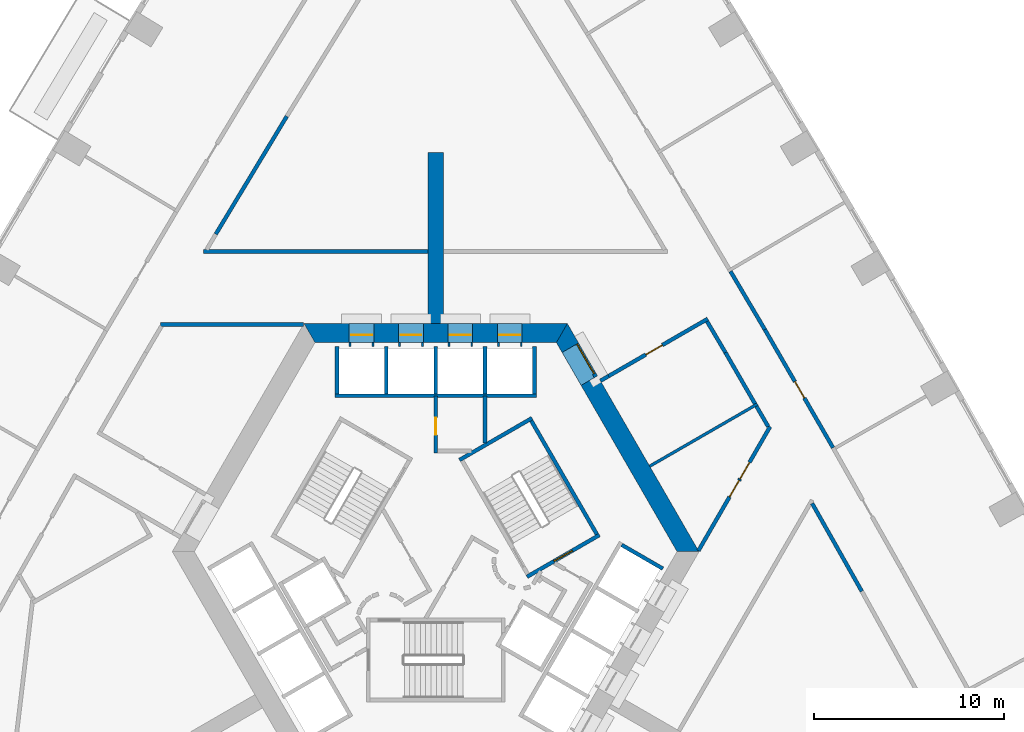
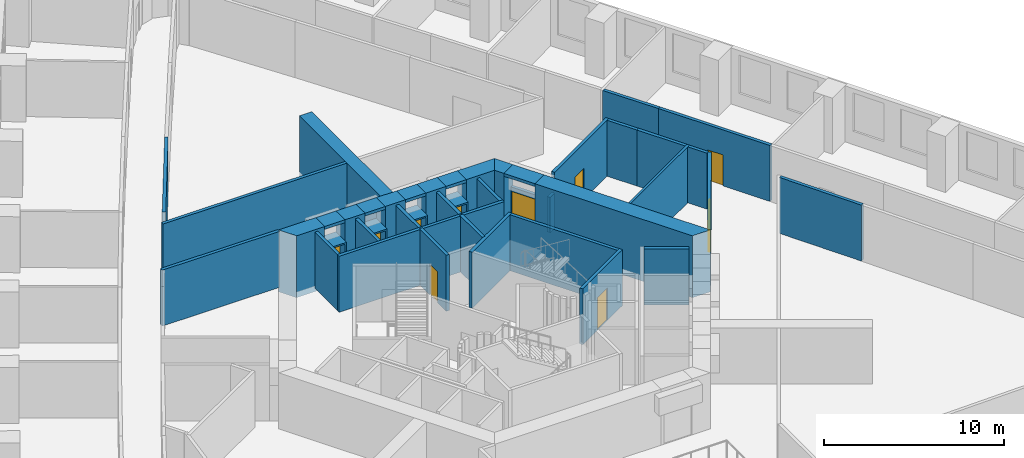
# One storey, part 9 of 16: 43 walls, 11 doors, 11 openings.
"""IFC4 building model written with IfcOpenShell, lengths in metres."""

import ifcopenshell
import ifcopenshell.guid

model = None  # the IFC model being written
_history = None  # IfcOwnerHistory: only IFC2X3 demands one
_inside = {}  # id of a spatial element -> (the spatial element, [elements in it])
_under = {}  # id of a project, library or spatial element -> (it, [spatial elements below it])
_declared = {}  # id of a project -> (the project, [libraries it declares])
_typed = {}  # id of a type object -> (the type object, [elements of that type])
_made_of = {}  # id of a material, layer set ... -> (it, [elements and type objects made of it])


def new_model(schema):
    """Start an empty IFC model of exactly this schema.

    Asked for "IFC4X3", IfcOpenShell would pick the latest addendum, in which some entities
    have other attributes; the version numbers below select the first issue.
    IFC2X3 requires an IfcOwnerHistory on every rooted entity: one is made here for all.
    """
    global model, _history
    if schema == "IFC4X3":
        model = ifcopenshell.file(schema_version=(4, 3, 0, 0))
    else:
        model = ifcopenshell.file(schema=schema)
    _inside.clear()
    _under.clear()
    _declared.clear()
    _typed.clear()
    _made_of.clear()
    _history = None
    if model.schema == "IFC2X3":
        org = make("IfcOrganization", Name="unknown")
        user = make(
            "IfcPersonAndOrganization",
            ThePerson=make("IfcPerson", FamilyName="unknown"),
            TheOrganization=org,
        )
        app = make(
            "IfcApplication",
            ApplicationDeveloper=org,
            Version="unknown",
            ApplicationFullName="unknown",
            ApplicationIdentifier="unknown",
        )
        _history = make(
            "IfcOwnerHistory",
            OwningUser=user,
            OwningApplication=app,
            ChangeAction="ADDED",
            CreationDate=0,
        )
    return model


def make(cls, **values):
    """One entity of the class cls with the attributes given. An attribute that is None is left unset."""
    return model.create_entity(
        cls, **{name: value for name, value in values.items() if value is not None}
    )


def rooted(cls, **values):
    """An entity with a GlobalId (a new one), such as an element, a storey or a relation."""
    return make(cls, GlobalId=ifcopenshell.guid.new(), OwnerHistory=_history, **values)


def si_unit(unit_type, name, prefix=None):
    """IfcSIUnit, for example si_unit("LENGTHUNIT", "METRE", prefix="MILLI")."""
    return make("IfcSIUnit", UnitType=unit_type, Prefix=prefix, Name=name)


def assignment(units):
    """IfcUnitAssignment: the units of a project."""
    return None if units is None else make("IfcUnitAssignment", Units=units)


def point(xyz):
    """IfcCartesianPoint."""
    return None if xyz is None else make("IfcCartesianPoint", Coordinates=xyz)


def direction(xyz):
    """IfcDirection."""
    return None if xyz is None else make("IfcDirection", DirectionRatios=xyz)


def frame(location, z_axis=None, x_axis=None):
    """IfcAxis2Placement3D, a coordinate frame: its origin and axes. An axis left out is left unset."""
    return make(
        "IfcAxis2Placement3D",
        Location=point(location),
        Axis=direction(z_axis),
        RefDirection=direction(x_axis),
    )


def frame_2d(location, x_axis=None):
    """IfcAxis2Placement2D, a coordinate frame in the plane: its origin and x axis."""
    return make(
        "IfcAxis2Placement2D", Location=point(location), RefDirection=direction(x_axis)
    )


def origin():
    """The frame at (0, 0, 0) with its axes left unset."""
    return frame((0.0, 0.0, 0.0))


def place(relative_to, where):
    """IfcLocalPlacement: puts the frame where relative to a parent placement (None: the world)."""
    return make(
        "IfcLocalPlacement", PlacementRelTo=relative_to, RelativePlacement=where
    )


def context(
    kind, dimensions, precision=None, world=None, true_north=None, identifier=None
):
    """IfcGeometricRepresentationContext, for example the 3D "Model" context."""
    return make(
        "IfcGeometricRepresentationContext",
        ContextIdentifier=identifier,
        ContextType=kind,
        CoordinateSpaceDimension=dimensions,
        Precision=precision,
        WorldCoordinateSystem=world,
        TrueNorth=true_north,
    )


def subcontext(parent, identifier, kind, view, scale=None):
    """IfcGeometricRepresentationSubContext, for example "Body" below "Model"."""
    return make(
        "IfcGeometricRepresentationSubContext",
        ContextIdentifier=identifier,
        ContextType=kind,
        ParentContext=parent,
        TargetScale=scale,
        TargetView=view,
    )


def project(units=None, contexts=None):
    """IfcProject with its units and contexts."""
    return rooted(
        "IfcProject",
        Name="project",
        RepresentationContexts=contexts,
        UnitsInContext=assignment(units),
    )


def spatial(cls, under=None, at=None, **own):
    """A site, building, storey or space (cls), placed at a placement, below another one or the project."""
    s = rooted(cls, ObjectPlacement=at, **own)
    if under is not None:
        _under.setdefault(under.id(), (under, []))[1].append(s)
    return s


def polyline(points):
    """IfcPolyline through the points."""
    return make("IfcPolyline", Points=[point(p) for p in points])


def profile(cls, at=None, kind="AREA", **sizes):
    """A parametric profile (cls). Its sizes go by their IFC names, for example OverallWidth=200.0."""
    return make(cls, ProfileType=kind, Position=at, **sizes)


def rectangle(**sizes):
    """IfcRectangleProfileDef."""
    return profile("IfcRectangleProfileDef", **sizes)


def outline(outer, holes=None, kind="AREA"):
    """IfcArbitraryClosedProfileDef: a profile drawn as a closed curve; with holes, ...WithVoids."""
    if holes is None:
        return make("IfcArbitraryClosedProfileDef", ProfileType=kind, OuterCurve=outer)
    return make(
        "IfcArbitraryProfileDefWithVoids",
        ProfileType=kind,
        OuterCurve=outer,
        InnerCurves=holes,
    )


def extrude(swept, where, along, depth):
    """IfcExtrudedAreaSolid: the profile swept, set in the frame where, extruded along a direction by depth."""
    return make(
        "IfcExtrudedAreaSolid",
        SweptArea=swept,
        Position=where,
        ExtrudedDirection=direction(along),
        Depth=depth,
    )


def shape(context_of_items, identifier, shape_type, items):
    """IfcShapeRepresentation: the items that make up one representation, for example the "Body"."""
    return make(
        "IfcShapeRepresentation",
        ContextOfItems=context_of_items,
        RepresentationIdentifier=identifier,
        RepresentationType=shape_type,
        Items=items,
    )


def material(Name=None, Category=None):
    """IfcMaterial."""
    return make("IfcMaterial", Name=Name, Category=Category)


def layer(
    of_material, thickness, ventilated=None, Name=None, Category=None, Priority=None
):
    """IfcMaterialLayer: one layer of a wall or slab, of a material (None: an air gap)."""
    return make(
        "IfcMaterialLayer",
        Material=of_material,
        LayerThickness=thickness,
        IsVentilated=ventilated,
        Name=Name,
        Category=Category,
        Priority=Priority,
    )


def layer_set(layers, Name=None):
    """IfcMaterialLayerSet."""
    return make("IfcMaterialLayerSet", MaterialLayers=layers, LayerSetName=Name)


def made_of(thing, what):
    """Note that an element or type object is made of a material, layer set ...; save() writes the relation."""
    if what is not None:
        _made_of.setdefault(what.id(), (what, []))[1].append(thing)
    return thing


def type_object(cls, material=None, **own):
    """A type object (cls), such as IfcWallType, which elements share."""
    return made_of(rooted(cls, **own), material)


def element(
    cls,
    number,
    at=None,
    inside=None,
    cuts=None,
    type_object=None,
    material=None,
    context=None,
    identifier="Body",
    shape_type=None,
    held_by="IfcProductDefinitionShape",
    body=None,
    shapes=None,
    **own,
):
    """One element of the class cls, such as IfcWall. Its Tag is "e" and its number.

    at: its placement. inside: the storey or other place that contains it. cuts: it is an
    opening in that element (IfcRelVoidsElement). A single representation is given by context,
    identifier, shape_type and body (its items); several are given by shapes. held_by: the class
    of the entity that holds the representations. save() writes the other relations.
    """
    e = rooted(cls, Tag="e%d" % number, ObjectPlacement=at, **own)
    if body is not None:
        shapes = [shape(context, identifier, shape_type, body)]
    if shapes is not None:
        e.Representation = make(held_by, Representations=shapes)
    if inside is not None:
        _inside.setdefault(inside.id(), (inside, []))[1].append(e)
    if cuts is not None:
        rooted(
            "IfcRelVoidsElement", RelatingBuildingElement=cuts, RelatedOpeningElement=e
        )
    if type_object is not None:
        _typed.setdefault(type_object.id(), (type_object, []))[1].append(e)
    return made_of(e, material)


def fill(opening, filler):
    """IfcRelFillsElement: the door or window that sits in an opening."""
    return rooted(
        "IfcRelFillsElement",
        RelatingOpeningElement=opening,
        RelatedBuildingElement=filler,
    )


def aggregate(whole, parts):
    """IfcRelAggregates: a whole, such as a stair, and the parts it consists of."""
    return rooted("IfcRelAggregates", RelatingObject=whole, RelatedObjects=parts)


def save(model, path):
    """Write the relations noted so far, then the file.

    IfcRelAggregates (storeys below a building ...), IfcRelContainedInSpatialStructure (elements
    in a storey), IfcRelDefinesByType, IfcRelAssociatesMaterial and IfcRelDeclares: one each for
    every whole, place, type object, material and project.
    """
    for whole, parts in _under.values():
        aggregate(whole, parts)
    for where, things in _inside.values():
        rooted(
            "IfcRelContainedInSpatialStructure",
            RelatedElements=things,
            RelatingStructure=where,
        )
    for kind, things in _typed.values():
        rooted("IfcRelDefinesByType", RelatedObjects=things, RelatingType=kind)
    for what, things in _made_of.values():
        rooted("IfcRelAssociatesMaterial", RelatedObjects=things, RelatingMaterial=what)
    for by, libraries in _declared.values():
        rooted("IfcRelDeclares", RelatingContext=by, RelatedDefinitions=libraries)
    model.write(path)


model = new_model("IFC4")

# Units and contexts
model_context = context("Model", 3, precision=1e-05, world=origin(), true_north=direction((0.0, 1.0)))
body_context = subcontext(model_context, "Body", "Model", "MODEL_VIEW")
ifc_project = project(units=[si_unit("LENGTHUNIT", "METRE"), si_unit("AREAUNIT", "SQUARE_METRE"), si_unit("VOLUMEUNIT", "CUBIC_METRE"), si_unit("PLANEANGLEUNIT", "RADIAN"), si_unit("MASSUNIT", "GRAM", prefix="KILO")], contexts=[model_context])

# Site, building, storey
site_placement = place(None, origin())
site = spatial("IfcSite", under=ifc_project, at=site_placement, CompositionType="ELEMENT")
building_placement = place(site_placement, origin())
building = spatial("IfcBuilding", under=site, at=building_placement, Name="Entoto Arch Interchange Tower", CompositionType="ELEMENT")
storey_placement = place(building_placement, frame((0.0, 0.0, 68.60009765625)))
storey = spatial("IfcBuildingStorey", under=building, at=storey_placement, Name="L14", CompositionType="ELEMENT", Elevation=68.60009765625)

# Wall
ifc_material_1 = material(Name="Concrete C60/75", Category="concrete")
ifc_layer_1 = layer(ifc_material_1, 0.800048828125)
ifc_layer_set_1 = layer_set([ifc_layer_1], Name="Concrete C60/75")
wall_type_1 = type_object("IfcWallType", Name="Buttress wall 800 C60/75", PredefinedType="SHEAR", material=ifc_layer_set_1)
wall_1_placement = place(storey_placement, frame((0.0, 14.5, -0.400146484375), z_axis=(0.0, 0.0, 1.0), x_axis=(0.0, 1.0, 0.0)))
element("IfcWall", 1, at=wall_1_placement, inside=storey, type_object=wall_type_1, Name="Buttress wall N L14", PredefinedType="SHEAR", context=body_context, shape_type="SweptSolid", body=[
    extrude(rectangle(XDim=9.0, YDim=0.800048828125, at=frame_2d((4.5, 0.0))), origin(), (0.0, 0.0, 1.0), 4.199951171875),
])

# Wall, opening, door
ifc_material_2 = material(Name="Reinforced concrete C40/50", Category="concrete")
ifc_layer_2 = layer(ifc_material_2, 0.199951171875)
ifc_layer_set_2 = layer_set([ifc_layer_2], Name="Reinforced concrete C40/50")
wall_type_2 = type_object("IfcWallType", Name="CORE GAP INFILL WALL", PredefinedType="PARTITIONING", material=ifc_layer_set_2)
wall_2_placement = place(storey_placement, frame((8.429931640625, 11.697998046875, 0.0), z_axis=(0.0, 0.0, 1.0), x_axis=(-0.50002537861, 0.866010750942, 0.0)))
wall_2 = element("IfcWall", 2, at=wall_2_placement, inside=storey, type_object=wall_type_2, Name="wall:L14:gap2", PredefinedType="PARTITIONING", context=body_context, shape_type="SweptSolid", body=[
    extrude(rectangle(XDim=2.0, YDim=0.199951171875, at=frame_2d((1.0, 0.0))), origin(), (0.0, 0.0, 1.0), 2.39990234375),
])
opening_1_placement = place(wall_2_placement, frame((0.18994140625, 0.0, 0.0)))
opening_1 = element("IfcOpeningElement", 3, at=opening_1_placement, cuts=wall_2, Name="Opening L14-D92", PredefinedType="OPENING", context=body_context, shape_type="SweptSolid", body=[
    extrude(rectangle(XDim=1.800048828125, YDim=2.10009765625, at=frame_2d((0.89990234375, 1.050048828125))), frame((0.0, 0.10986328125, 0.0), z_axis=(0.0, -1.0, 0.0), x_axis=(1.0, 0.0, 0.0)), (0.0, 0.0, 1.0), 0.219970703125),
])
ifc_material_3 = material(Name="Fire-rated Steel S235 door and frame", Category="steel")
door_type_1 = type_object("IfcDoorType", Name="DOOR FD-18 1800x2100", OperationType="DOUBLE_DOOR_SINGLE_SWING", PredefinedType="DOOR", material=ifc_material_3)
door_1_placement = place(opening_1_placement, origin())
door_1 = element("IfcDoor", 4, at=door_1_placement, inside=storey, type_object=door_type_1, Name="door:L14:gap2", OperationType="DOUBLE_DOOR_SINGLE_SWING", OverallHeight=2.10009765625, OverallWidth=1.800048828125, PredefinedType="DOOR", context=body_context, shape_type="SweptSolid", body=[
    extrude(rectangle(XDim=1.800048828125, YDim=2.10009765625, at=frame_2d((0.89990234375, 1.050048828125))), frame((0.0, 0.02490234375, 0.0), z_axis=(0.0, -1.0, 0.0), x_axis=(1.0, 0.0, 0.0)), (0.0, 0.0, 1.0), 0.050048828125),
])
fill(opening_1, door_1)

# Walls
ifc_layer_3 = layer(ifc_material_1, 1.0)
ifc_layer_set_3 = layer_set([ifc_layer_3], Name="Concrete C60/75")
wall_type_3 = type_object("IfcWallType", Name="Core wall 1000 C60/75", PredefinedType="SHEAR", material=ifc_layer_set_3)
wall_3_placement = place(storey_placement, frame((0.0, 0.0, -0.400146484375)))
element("IfcWall", 5, at=wall_3_placement, inside=storey, type_object=wall_type_3, Name="Core wall NE L14", PredefinedType="SHEAR", context=body_context, shape_type="SweptSolid", body=[
    extrude(outline(polyline([(8.51708984375, 11.748046875), (7.65087890625, 11.248046875), (12.701904296875, 2.5), (13.85595703125, 2.5), (8.51708984375, 11.748046875)])), origin(), (0.0, 0.0, 1.0), 4.199951171875),
])
wall_4_placement = place(storey_placement, frame((0.0, 0.0, -0.400146484375)))
element("IfcWall", 6, at=wall_4_placement, inside=storey, type_object=wall_type_3, Name="Core wall NE L14", PredefinedType="SHEAR", context=body_context, shape_type="SweptSolid", body=[
    extrude(outline(polyline([(6.65087890625, 12.97998046875), (7.51708984375, 13.47998046875), (6.927978515625, 14.5), (6.35107421875, 13.5), (6.65087890625, 12.97998046875)])), origin(), (0.0, 0.0, 1.0), 4.199951171875),
])
wall_5_placement = place(storey_placement, frame((0.0, 0.0, 3.599853515625)))
element("IfcWall", 7, at=wall_5_placement, inside=storey, type_object=wall_type_3, Name="Core wall lintel NE L14", PredefinedType="SHEAR", context=body_context, shape_type="SweptSolid", body=[
    extrude(outline(polyline([(7.51708984375, 13.47998046875), (6.65087890625, 12.97998046875), (7.65087890625, 11.248046875), (8.51708984375, 11.748046875), (7.51708984375, 13.47998046875)])), origin(), (0.0, 0.0, 1.0), 0.199951171875),
])
wall_6_placement = place(storey_placement, frame((0.0, 0.0, -0.400146484375)))
element("IfcWall", 8, at=wall_6_placement, inside=storey, type_object=wall_type_3, Name="Core wall N L14", PredefinedType="SHEAR", context=body_context, shape_type="SweptSolid", body=[
    extrude(outline(polyline([(4.550048828125, 14.5), (4.550048828125, 13.5), (6.35107421875, 13.5), (6.927978515625, 14.5), (4.550048828125, 14.5)])), origin(), (0.0, 0.0, 1.0), 4.199951171875),
])
wall_7_placement = place(storey_placement, frame((0.0, 0.0, -0.400146484375)))
element("IfcWall", 9, at=wall_7_placement, inside=storey, type_object=wall_type_3, Name="Core wall N L14", PredefinedType="SHEAR", context=body_context, shape_type="SweptSolid", body=[
    extrude(outline(polyline([(1.949951171875, 14.5), (1.949951171875, 13.5), (3.25, 13.5), (3.25, 14.5), (1.949951171875, 14.5)])), origin(), (0.0, 0.0, 1.0), 4.199951171875),
])
wall_8_placement = place(storey_placement, frame((0.0, 0.0, -0.400146484375)))
element("IfcWall", 10, at=wall_8_placement, inside=storey, type_object=wall_type_3, Name="Core wall N L14", PredefinedType="SHEAR", context=body_context, shape_type="SweptSolid", body=[
    extrude(outline(polyline([(-0.64990234375, 14.5), (-0.64990234375, 13.5), (0.64990234375, 13.5), (0.64990234375, 14.5), (-0.64990234375, 14.5)])), origin(), (0.0, 0.0, 1.0), 4.199951171875),
])
wall_9_placement = place(storey_placement, frame((0.0, 0.0, -0.400146484375)))
element("IfcWall", 11, at=wall_9_placement, inside=storey, type_object=wall_type_3, Name="Core wall N L14", PredefinedType="SHEAR", context=body_context, shape_type="SweptSolid", body=[
    extrude(outline(polyline([(-3.25, 14.5), (-3.25, 13.5), (-1.949951171875, 13.5), (-1.949951171875, 14.5), (-3.25, 14.5)])), origin(), (0.0, 0.0, 1.0), 4.199951171875),
])
wall_10_placement = place(storey_placement, frame((0.0, 0.0, -0.400146484375)))
element("IfcWall", 12, at=wall_10_placement, inside=storey, type_object=wall_type_3, Name="Core wall N L14", PredefinedType="SHEAR", context=body_context, shape_type="SweptSolid", body=[
    extrude(outline(polyline([(-4.550048828125, 13.5), (-4.550048828125, 14.5), (-6.927978515625, 14.5), (-6.35107421875, 13.5), (-4.550048828125, 13.5)])), origin(), (0.0, 0.0, 1.0), 4.199951171875),
])
wall_11_placement = place(storey_placement, frame((0.0, 0.0, 3.599853515625)))
element("IfcWall", 13, at=wall_11_placement, inside=storey, type_object=wall_type_3, Name="Core wall lintel N L14", PredefinedType="SHEAR", context=body_context, shape_type="SweptSolid", body=[
    extrude(outline(polyline([(3.25, 14.5), (3.25, 13.5), (4.550048828125, 13.5), (4.550048828125, 14.5), (3.25, 14.5)])), origin(), (0.0, 0.0, 1.0), 0.199951171875),
])
wall_12_placement = place(storey_placement, frame((0.0, 0.0, 3.599853515625)))
element("IfcWall", 14, at=wall_12_placement, inside=storey, type_object=wall_type_3, Name="Core wall lintel N L14", PredefinedType="SHEAR", context=body_context, shape_type="SweptSolid", body=[
    extrude(outline(polyline([(0.64990234375, 14.5), (0.64990234375, 13.5), (1.949951171875, 13.5), (1.949951171875, 14.5), (0.64990234375, 14.5)])), origin(), (0.0, 0.0, 1.0), 0.199951171875),
])
wall_13_placement = place(storey_placement, frame((0.0, 0.0, 3.599853515625)))
element("IfcWall", 15, at=wall_13_placement, inside=storey, type_object=wall_type_3, Name="Core wall lintel N L14", PredefinedType="SHEAR", context=body_context, shape_type="SweptSolid", body=[
    extrude(outline(polyline([(-1.949951171875, 14.5), (-1.949951171875, 13.5), (-0.64990234375, 13.5), (-0.64990234375, 14.5), (-1.949951171875, 14.5)])), origin(), (0.0, 0.0, 1.0), 0.199951171875),
])
wall_14_placement = place(storey_placement, frame((0.0, 0.0, 3.599853515625)))
element("IfcWall", 16, at=wall_14_placement, inside=storey, type_object=wall_type_3, Name="Core wall lintel N L14", PredefinedType="SHEAR", context=body_context, shape_type="SweptSolid", body=[
    extrude(outline(polyline([(-4.550048828125, 14.5), (-4.550048828125, 13.5), (-3.25, 13.5), (-3.25, 14.5), (-4.550048828125, 14.5)])), origin(), (0.0, 0.0, 1.0), 0.199951171875),
])

# Wall, opening, door
ifc_material_4 = material(Name="Concrete C40/50", Category="concrete")
ifc_layer_4 = layer(ifc_material_4, 1.199951171875)
ifc_layer_set_4 = layer_set([ifc_layer_4], Name="Concrete C40/50")
wall_type_4 = type_object("IfcWallType", Name="LIFT LANDING INFILL WALL", PredefinedType="STANDARD", material=ifc_layer_set_4)
wall_15_placement = place(storey_placement, frame((4.550048828125, 13.89990234375, 0.0), z_axis=(0.0, 0.0, 1.0), x_axis=(-1.0, 0.0, 0.0)))
wall_15 = element("IfcWall", 17, at=wall_15_placement, inside=storey, type_object=wall_type_4, Name="Lift landing infill wall LR1 L14", PredefinedType="STANDARD", context=body_context, shape_type="SweptSolid", body=[
    extrude(rectangle(XDim=1.300048828125, YDim=1.199951171875, at=frame_2d((0.64990234375, 0.0))), origin(), (0.0, 0.0, 1.0), 2.39990234375),
])
opening_2_placement = place(wall_15_placement, frame((0.10009765625, 0.0, 0.0)))
opening_2 = element("IfcOpeningElement", 18, at=opening_2_placement, cuts=wall_15, Name="Opening LD-LR1-L14", PredefinedType="OPENING", context=body_context, shape_type="SweptSolid", body=[
    extrude(rectangle(XDim=1.10009765625, YDim=2.300048828125, at=frame_2d((0.550048828125, 1.14990234375))), frame((0.0, 0.60986328125, 0.0), z_axis=(0.0, -1.0, 0.0), x_axis=(1.0, 0.0, 0.0)), (0.0, 0.0, 1.0), 1.219970703125),
])
ifc_material_5 = material(Name="Stainless steel 1.4301 panels", Category="steel")
door_type_2 = type_object("IfcDoorType", Name="LIFT LANDING DOOR LD2 1100x2300", OperationType="SLIDING_TO_LEFT", PredefinedType="DOOR", material=ifc_material_5)
door_2_placement = place(opening_2_placement, origin())
door_2 = element("IfcDoor", 19, at=door_2_placement, inside=storey, type_object=door_type_2, Name="Lift landing door LR1 L14", OperationType="SLIDING_TO_LEFT", OverallHeight=2.300048828125, OverallWidth=1.10009765625, PredefinedType="DOOR", context=body_context, shape_type="SweptSolid", body=[
    extrude(rectangle(XDim=1.10009765625, YDim=2.300048828125, at=frame_2d((0.550048828125, 1.14990234375))), frame((0.0, 0.02490234375, 0.0), z_axis=(0.0, -1.0, 0.0), x_axis=(1.0, 0.0, 0.0)), (0.0, 0.0, 1.0), 0.050048828125),
])
fill(opening_2, door_2)

wall_16_placement = place(storey_placement, frame((1.949951171875, 13.89990234375, 0.0), z_axis=(0.0, 0.0, 1.0), x_axis=(-1.0, 0.0, 0.0)))
wall_16 = element("IfcWall", 20, at=wall_16_placement, inside=storey, type_object=wall_type_4, Name="Lift landing infill wall LR2 L14", PredefinedType="STANDARD", context=body_context, shape_type="SweptSolid", body=[
    extrude(rectangle(XDim=1.300048828125, YDim=1.199951171875, at=frame_2d((0.64990234375, 0.0))), origin(), (0.0, 0.0, 1.0), 2.39990234375),
])
opening_3_placement = place(wall_16_placement, frame((0.10009765625, 0.0, 0.0)))
opening_3 = element("IfcOpeningElement", 21, at=opening_3_placement, cuts=wall_16, Name="Opening LD-LR2-L14", PredefinedType="OPENING", context=body_context, shape_type="SweptSolid", body=[
    extrude(rectangle(XDim=1.10009765625, YDim=2.300048828125, at=frame_2d((0.550048828125, 1.14990234375))), frame((0.0, 0.60986328125, 0.0), z_axis=(0.0, -1.0, 0.0), x_axis=(1.0, 0.0, 0.0)), (0.0, 0.0, 1.0), 1.219970703125),
])
door_3_placement = place(opening_3_placement, origin())
door_3 = element("IfcDoor", 22, at=door_3_placement, inside=storey, type_object=door_type_2, Name="Lift landing door LR2 L14", OperationType="SLIDING_TO_LEFT", OverallHeight=2.300048828125, OverallWidth=1.10009765625, PredefinedType="DOOR", context=body_context, shape_type="SweptSolid", body=[
    extrude(rectangle(XDim=1.10009765625, YDim=2.300048828125, at=frame_2d((0.550048828125, 1.14990234375))), frame((0.0, 0.02490234375, 0.0), z_axis=(0.0, -1.0, 0.0), x_axis=(1.0, 0.0, 0.0)), (0.0, 0.0, 1.0), 0.050048828125),
])
fill(opening_3, door_3)

wall_17_placement = place(storey_placement, frame((-0.64990234375, 13.89990234375, 0.0), z_axis=(0.0, 0.0, 1.0), x_axis=(-1.0, 0.0, 0.0)))
wall_17 = element("IfcWall", 23, at=wall_17_placement, inside=storey, type_object=wall_type_4, Name="Lift landing infill wall LR3 L14", PredefinedType="STANDARD", context=body_context, shape_type="SweptSolid", body=[
    extrude(rectangle(XDim=1.300048828125, YDim=1.199951171875, at=frame_2d((0.64990234375, 0.0))), origin(), (0.0, 0.0, 1.0), 2.39990234375),
])
opening_4_placement = place(wall_17_placement, frame((0.10009765625, 0.0, 0.0)))
opening_4 = element("IfcOpeningElement", 24, at=opening_4_placement, cuts=wall_17, Name="Opening LD-LR3-L14", PredefinedType="OPENING", context=body_context, shape_type="SweptSolid", body=[
    extrude(rectangle(XDim=1.10009765625, YDim=2.300048828125, at=frame_2d((0.550048828125, 1.14990234375))), frame((0.0, 0.60986328125, 0.0), z_axis=(0.0, -1.0, 0.0), x_axis=(1.0, 0.0, 0.0)), (0.0, 0.0, 1.0), 1.219970703125),
])
door_4_placement = place(opening_4_placement, origin())
door_4 = element("IfcDoor", 25, at=door_4_placement, inside=storey, type_object=door_type_2, Name="Lift landing door LR3 L14", OperationType="SLIDING_TO_LEFT", OverallHeight=2.300048828125, OverallWidth=1.10009765625, PredefinedType="DOOR", context=body_context, shape_type="SweptSolid", body=[
    extrude(rectangle(XDim=1.10009765625, YDim=2.300048828125, at=frame_2d((0.550048828125, 1.14990234375))), frame((0.0, 0.02490234375, 0.0), z_axis=(0.0, -1.0, 0.0), x_axis=(1.0, 0.0, 0.0)), (0.0, 0.0, 1.0), 0.050048828125),
])
fill(opening_4, door_4)

wall_18_placement = place(storey_placement, frame((-3.25, 13.89990234375, 0.0), z_axis=(0.0, 0.0, 1.0), x_axis=(-1.0, 0.0, 0.0)))
wall_18 = element("IfcWall", 26, at=wall_18_placement, inside=storey, type_object=wall_type_4, Name="Lift landing infill wall LR4 L14", PredefinedType="STANDARD", context=body_context, shape_type="SweptSolid", body=[
    extrude(rectangle(XDim=1.300048828125, YDim=1.199951171875, at=frame_2d((0.64990234375, 0.0))), origin(), (0.0, 0.0, 1.0), 2.39990234375),
])
opening_5_placement = place(wall_18_placement, frame((0.10009765625, 0.0, 0.0)))
opening_5 = element("IfcOpeningElement", 27, at=opening_5_placement, cuts=wall_18, Name="Opening LD-LR4-L14", PredefinedType="OPENING", context=body_context, shape_type="SweptSolid", body=[
    extrude(rectangle(XDim=1.10009765625, YDim=2.300048828125, at=frame_2d((0.550048828125, 1.14990234375))), frame((0.0, 0.60986328125, 0.0), z_axis=(0.0, -1.0, 0.0), x_axis=(1.0, 0.0, 0.0)), (0.0, 0.0, 1.0), 1.219970703125),
])
door_5_placement = place(opening_5_placement, origin())
door_5 = element("IfcDoor", 28, at=door_5_placement, inside=storey, type_object=door_type_2, Name="Lift landing door LR4 L14", OperationType="SLIDING_TO_LEFT", OverallHeight=2.300048828125, OverallWidth=1.10009765625, PredefinedType="DOOR", context=body_context, shape_type="SweptSolid", body=[
    extrude(rectangle(XDim=1.10009765625, YDim=2.300048828125, at=frame_2d((0.550048828125, 1.14990234375))), frame((0.0, 0.02490234375, 0.0), z_axis=(0.0, -1.0, 0.0), x_axis=(1.0, 0.0, 0.0)), (0.0, 0.0, 1.0), 0.050048828125),
])
fill(opening_5, door_5)

# Walls
ifc_layer_5 = layer(ifc_material_4, 0.199951171875)
ifc_layer_set_5 = layer_set([ifc_layer_5], Name="Concrete C40/50")
wall_type_5 = type_object("IfcWallType", Name="LIFT SHAFT WALL 200", PredefinedType="STANDARD", material=ifc_layer_set_5)
wall_19_placement = place(storey_placement, frame((5.300048828125, 10.699951171875, 0.0), z_axis=(0.0, 0.0, 1.0), x_axis=(-1.0, 0.0, 0.0)))
element("IfcWall", 29, at=wall_19_placement, inside=storey, type_object=wall_type_5, Name="Shaft wall N3 front", PredefinedType="STANDARD", context=body_context, shape_type="SweptSolid", body=[
    extrude(rectangle(XDim=10.60009765625, YDim=0.199951171875, at=frame_2d((5.300048828125, 0.0))), origin(), (0.0, 0.0, 1.0), 3.7998046875),
])
for number, where, z_axis, x_axis, name in (
    (30, (5.199951171875, 10.800048828125, 0.0), (0.0, 0.0, 1.0), (0.0, 1.0, 0.0), "Shaft wall N3 cross 1"),
    (31, (2.60009765625, 10.800048828125, 0.0), (0.0, 0.0, 1.0), (0.0, 1.0, 0.0), "Shaft wall N3 cross 2"),
    (32, (0.0, 10.800048828125, 0.0), (0.0, 0.0, 1.0), (0.0, 1.0, 0.0), "Shaft wall N3 cross 3"),
    (33, (-2.60009765625, 10.800048828125, 0.0), (0.0, 0.0, 1.0), (0.0, 1.0, 0.0), "Shaft wall N3 cross 4"),
    (34, (-5.199951171875, 10.800048828125, 0.0), (0.0, 0.0, 1.0), (0.0, 1.0, 0.0), "Shaft wall N3 cross 5"),
):
    element("IfcWall", number, at=place(storey_placement, frame(where, z_axis=z_axis, x_axis=x_axis)), inside=storey, type_object=wall_type_5, Name=name, PredefinedType="STANDARD", context=body_context, shape_type="SweptSolid", body=[
        extrude(rectangle(XDim=2.5, YDim=0.199951171875, at=frame_2d((1.25, 0.0))), origin(), (0.0, 0.0, 1.0), 3.7998046875),
    ])
wall_20_placement = place(storey_placement, frame((9.7880859375, 2.85302734375, 0.0), z_axis=(0.0, 0.0, 1.0), x_axis=(0.865998541277, -0.500046524342, 0.0)))
element("IfcWall", 35, at=wall_20_placement, inside=storey, type_object=wall_type_5, Name="Shaft wall SE3 cross 5", PredefinedType="STANDARD", context=body_context, shape_type="SweptSolid", body=[
    extrude(rectangle(XDim=2.499755859375, YDim=0.199951171875, at=frame_2d((1.25, 0.0))), origin(), (0.0, 0.0, 1.0), 3.7998046875),
])
ifc_material_6 = material(Name="Gypsum board partition on steel studs", Category="steel")
ifc_layer_6 = layer(ifc_material_6, 0.14990234375)
ifc_layer_set_6 = layer_set([ifc_layer_6], Name="Gypsum board partition on steel studs")
wall_type_6 = type_object("IfcWallType", Name="PARTITION 150", PredefinedType="PARTITIONING", material=ifc_layer_set_6)
wall_21_placement = place(storey_placement, frame((11.260986328125, 6.993896484375, 0.0), z_axis=(0.0, 0.0, 1.0), x_axis=(0.866043905515, 0.499967952693, 0.0)))
element("IfcWall", 36, at=wall_21_placement, inside=storey, type_object=wall_type_6, Name="wall:L14:p098", PredefinedType="PARTITIONING", context=body_context, shape_type="SweptSolid", body=[
    extrude(rectangle(XDim=6.54248046875, YDim=0.14990234375, at=frame_2d((3.271240234375, 0.0))), origin(), (0.0, 0.0, 1.0), 3.7998046875),
])
ifc_layer_7 = layer(ifc_material_6, 0.199951171875)
ifc_layer_set_7 = layer_set([ifc_layer_7], Name="Gypsum board partition on steel studs")
wall_type_7 = type_object("IfcWallType", Name="PARTITION 200", PredefinedType="PARTITIONING", material=ifc_layer_set_7)
wall_22_placement = place(storey_placement, frame((17.4970703125, 9.077880859375, 0.0), z_axis=(0.0, 0.0, 1.0), x_axis=(-0.500126451326, 0.865952384768, 0.0)))
element("IfcWall", 37, at=wall_22_placement, inside=storey, type_object=wall_type_7, Name="wall:L14:p004", PredefinedType="PARTITIONING", context=body_context, shape_type="SweptSolid", body=[
    extrude(rectangle(XDim=1.238037109375, YDim=0.199951171875, at=frame_2d((0.619140625, 0.0))), origin(), (0.0, 0.0, 1.0), 3.7998046875),
])
wall_23_placement = place(storey_placement, frame((16.802978515625, 10.280029296875, 0.0), z_axis=(0.0, 0.0, 1.0), x_axis=(-0.499941881293, 0.866058956036, 0.0)))
element("IfcWall", 38, at=wall_23_placement, inside=storey, type_object=wall_type_7, Name="wall:L14:p005", PredefinedType="PARTITIONING", context=body_context, shape_type="SweptSolid", body=[
    extrude(rectangle(XDim=3.114013671875, YDim=0.199951171875, at=frame_2d((1.55712890625, 0.0))), origin(), (0.0, 0.0, 1.0), 3.7998046875),
])
wall_24_placement = place(storey_placement, frame((15.24609375, 12.97705078125, 0.0), z_axis=(0.0, 0.0, 1.0), x_axis=(-0.508473864329, 0.861077423519, 0.0)))
element("IfcWall", 39, at=wall_24_placement, inside=storey, type_object=wall_type_7, Name="wall:L14:p006", PredefinedType="PARTITIONING", context=body_context, shape_type="SweptSolid", body=[
    extrude(rectangle(XDim=1.89990234375, YDim=0.199951171875, at=frame_2d((0.949951171875, 0.0))), origin(), (0.0, 0.0, 1.0), 3.7998046875),
])

# Wall, opening, door
wall_25_placement = place(storey_placement, frame((14.31591796875, 14.75, 0.0), z_axis=(0.0, 0.0, 1.0), x_axis=(-0.865981716183, -0.500075661512, 0.0)))
wall_25 = element("IfcWall", 40, at=wall_25_placement, inside=storey, type_object=wall_type_7, Name="wall:L14:p007", PredefinedType="PARTITIONING", context=body_context, shape_type="SweptSolid", body=[
    extrude(rectangle(XDim=6.02294921875, YDim=0.199951171875, at=frame_2d((3.011474609375, 0.0))), origin(), (0.0, 0.0, 1.0), 3.7998046875),
])
opening_6_placement = place(wall_25_placement, frame((2.760986328125, 0.0, 0.0)))
opening_6 = element("IfcOpeningElement", 41, at=opening_6_placement, cuts=wall_25, Name="Opening L14-D29", PredefinedType="OPENING", context=body_context, shape_type="SweptSolid", body=[
    extrude(rectangle(XDim=1.0, YDim=2.10009765625, at=frame_2d((0.5, 1.050048828125))), frame((0.0, 0.10986328125, 0.0), z_axis=(0.0, -1.0, 0.0), x_axis=(1.0, 0.0, 0.0)), (0.0, 0.0, 1.0), 0.219970703125),
])
ifc_material_7 = material(Name="Timber door leaf in Steel S235 frame", Category="steel")
door_type_3 = type_object("IfcDoorType", Name="DOOR DS-10 1000x2100", OperationType="SINGLE_SWING_LEFT", PredefinedType="DOOR", material=ifc_material_7)
door_6_placement = place(opening_6_placement, origin())
door_6 = element("IfcDoor", 42, at=door_6_placement, inside=storey, type_object=door_type_3, Name="door:L14:29", OperationType="SINGLE_SWING_LEFT", OverallHeight=2.10009765625, OverallWidth=1.0, PredefinedType="DOOR", context=body_context, shape_type="SweptSolid", body=[
    extrude(rectangle(XDim=1.0, YDim=2.10009765625, at=frame_2d((0.5, 1.050048828125))), frame((0.0, 0.02490234375, 0.0), z_axis=(0.0, -1.0, 0.0), x_axis=(1.0, 0.0, 0.0)), (0.0, 0.0, 1.0), 0.050048828125),
])
fill(opening_6, door_6)

# Walls
wall_26_placement = place(storey_placement, frame((-7.8349609375, 25.404052734375, 0.0), z_axis=(0.0, 0.0, 1.0), x_axis=(-0.516172233954, -0.85648480716, 0.0)))
element("IfcWall", 43, at=wall_26_placement, inside=storey, type_object=wall_type_7, Name="wall:L14:p016", PredefinedType="PARTITIONING", context=body_context, shape_type="SweptSolid", body=[
    extrude(rectangle(XDim=7.234375, YDim=0.199951171875, at=frame_2d((3.6171875, 0.0))), origin(), (0.0, 0.0, 1.0), 3.7998046875),
])
wall_27_placement = place(storey_placement, frame((22.419921875, 0.4150390625, 0.0), z_axis=(0.0, 0.0, 1.0), x_axis=(-0.491823859571, 0.870694717543, 0.0)))
element("IfcWall", 44, at=wall_27_placement, inside=storey, type_object=wall_type_7, Name="wall:L14:p026", PredefinedType="PARTITIONING", context=body_context, shape_type="SweptSolid", body=[
    extrude(rectangle(XDim=5.30859375, YDim=0.199951171875, at=frame_2d((2.654296875, 0.0))), origin(), (0.0, 0.0, 1.0), 3.7998046875),
])
wall_28_placement = place(storey_placement, frame((15.511962890625, 17.248046875, 0.0), z_axis=(0.0, 0.0, 1.0), x_axis=(0.508178415101, -0.861251820564, 0.0)))
element("IfcWall", 45, at=wall_28_placement, inside=storey, type_object=wall_type_7, Name="wall:L14:p054", PredefinedType="PARTITIONING", context=body_context, shape_type="SweptSolid", body=[
    extrude(rectangle(XDim=3.55419921875, YDim=0.199951171875, at=frame_2d((1.777099609375, 0.0))), origin(), (0.0, 0.0, 1.0), 3.7998046875),
])

# Wall, opening, door
wall_29_placement = place(storey_placement, frame((17.318115234375, 14.18701171875, 0.0), z_axis=(0.0, 0.0, 1.0), x_axis=(0.499986381413, -0.866033266336, 0.0)))
wall_29 = element("IfcWall", 46, at=wall_29_placement, inside=storey, type_object=wall_type_7, Name="wall:L14:p055", PredefinedType="PARTITIONING", context=body_context, shape_type="SweptSolid", body=[
    extrude(rectangle(XDim=7.179931640625, YDim=0.199951171875, at=frame_2d((3.58984375, 0.0))), origin(), (0.0, 0.0, 1.0), 3.7998046875),
])
opening_7_placement = place(wall_29_placement, frame((3.1650390625, 0.0, 0.0)))
opening_7 = element("IfcOpeningElement", 47, at=opening_7_placement, cuts=wall_29, Name="Opening L14-D05", PredefinedType="OPENING", context=body_context, shape_type="SweptSolid", body=[
    extrude(rectangle(XDim=1.0, YDim=2.10009765625, at=frame_2d((0.5, 1.050048828125))), frame((0.0, 0.10986328125, 0.0), z_axis=(0.0, -1.0, 0.0), x_axis=(1.0, 0.0, 0.0)), (0.0, 0.0, 1.0), 0.219970703125),
])
door_7_placement = place(opening_7_placement, origin())
door_7 = element("IfcDoor", 48, at=door_7_placement, inside=storey, type_object=door_type_3, Name="door:L14:05", OperationType="SINGLE_SWING_LEFT", OverallHeight=2.10009765625, OverallWidth=1.0, PredefinedType="DOOR", context=body_context, shape_type="SweptSolid", body=[
    extrude(rectangle(XDim=1.0, YDim=2.10009765625, at=frame_2d((0.5, 1.050048828125))), frame((0.0, 0.02490234375, 0.0), z_axis=(0.0, -1.0, 0.0), x_axis=(1.0, 0.0, 0.0)), (0.0, 0.0, 1.0), 0.050048828125),
])
fill(opening_7, door_7)

wall_30_placement = place(storey_placement, frame((0.0, 7.699951171875, 0.0), z_axis=(0.0, 0.0, 1.0), x_axis=(0.000325520816, 0.999999947018, 0.0)))
wall_30 = element("IfcWall", 49, at=wall_30_placement, inside=storey, type_object=wall_type_7, Name="wall:L14:p084", PredefinedType="PARTITIONING", context=body_context, shape_type="SweptSolid", body=[
    extrude(rectangle(XDim=3.0, YDim=0.199951171875, at=frame_2d((1.5, 0.0))), origin(), (0.0, 0.0, 1.0), 3.7998046875),
])
opening_8_placement = place(wall_30_placement, frame((0.949951171875, 0.0, 0.0)))
opening_8 = element("IfcOpeningElement", 50, at=opening_8_placement, cuts=wall_30, Name="Opening L14-D32", PredefinedType="OPENING", context=body_context, shape_type="SweptSolid", body=[
    extrude(rectangle(XDim=0.89990234375, YDim=2.10009765625, at=frame_2d((0.449951171875, 1.050048828125))), frame((0.0, 0.10986328125, 0.0), z_axis=(0.0, -1.0, 0.0), x_axis=(1.0, 0.0, 0.0)), (0.0, 0.0, 1.0), 0.219970703125),
])
door_type_4 = type_object("IfcDoorType", Name="DOOR DS-09 900x2100", OperationType="SINGLE_SWING_LEFT", PredefinedType="DOOR", material=ifc_material_7)
door_8_placement = place(opening_8_placement, origin())
door_8 = element("IfcDoor", 51, at=door_8_placement, inside=storey, type_object=door_type_4, Name="door:L14:32", OperationType="SINGLE_SWING_RIGHT", OverallHeight=2.10009765625, OverallWidth=0.89990234375, PredefinedType="DOOR", context=body_context, shape_type="SweptSolid", body=[
    extrude(rectangle(XDim=0.89990234375, YDim=2.10009765625, at=frame_2d((0.449951171875, 1.050048828125))), frame((0.0, 0.02490234375, 0.0), z_axis=(0.0, -1.0, 0.0), x_axis=(1.0, 0.0, 0.0)), (0.0, 0.0, 1.0), 0.050048828125),
])
fill(opening_8, door_8)

# Walls
wall_31_placement = place(storey_placement, frame((2.59912109375, 10.699951171875, 0.0), z_axis=(0.0, 0.0, 1.0), x_axis=(0.000393159002, -0.999999922713, 0.0)))
element("IfcWall", 52, at=wall_31_placement, inside=storey, type_object=wall_type_7, Name="wall:L14:p085", PredefinedType="PARTITIONING", context=body_context, shape_type="SweptSolid", body=[
    extrude(rectangle(XDim=2.48388671875, YDim=0.199951171875, at=frame_2d((1.241943359375, 0.0))), origin(), (0.0, 0.0, 1.0), 3.7998046875),
])
wall_32_placement = place(storey_placement, frame((-6.95703125, 14.449951171875, 0.0), z_axis=(0.0, 0.0, 1.0), x_axis=(-1.0, 0.0, 0.0)))
element("IfcWall", 53, at=wall_32_placement, inside=storey, type_object=wall_type_7, Name="wall:L14:p097", PredefinedType="PARTITIONING", context=body_context, shape_type="SweptSolid", body=[
    extrude(rectangle(XDim=7.51904296875, YDim=0.199951171875, at=frame_2d((3.759521484375, 0.0))), origin(), (0.0, 0.0, 1.0), 3.7998046875),
])

# Wall, openings, doors
wall_33_placement = place(storey_placement, frame((13.826904296875, 2.550048828125, 0.0), z_axis=(0.0, 0.0, 1.0), x_axis=(0.500116794417, 0.865957961995, 0.0)))
wall_33 = element("IfcWall", 54, at=wall_33_placement, inside=storey, type_object=wall_type_7, Name="wall:L14:p099", PredefinedType="PARTITIONING", context=body_context, shape_type="SweptSolid", body=[
    extrude(rectangle(XDim=7.538330078125, YDim=0.199951171875, at=frame_2d((3.76904296875, 0.0))), origin(), (0.0, 0.0, 1.0), 3.7998046875),
])
opening_9_placement = place(wall_33_placement, frame((3.26904296875, 0.0, 0.0)))
opening_9 = element("IfcOpeningElement", 55, at=opening_9_placement, cuts=wall_33, Name="Opening L14-D28", PredefinedType="OPENING", context=body_context, shape_type="SweptSolid", body=[
    extrude(rectangle(XDim=1.0, YDim=2.10009765625, at=frame_2d((0.5, 1.050048828125))), frame((0.0, 0.10986328125, 0.0), z_axis=(0.0, -1.0, 0.0), x_axis=(1.0, 0.0, 0.0)), (0.0, 0.0, 1.0), 0.219970703125),
])
opening_10_placement = place(wall_33_placement, frame((4.368896484375, 0.0, 0.0)))
opening_10 = element("IfcOpeningElement", 56, at=opening_10_placement, cuts=wall_33, Name="Opening L14-D35", PredefinedType="OPENING", context=body_context, shape_type="SweptSolid", body=[
    extrude(rectangle(XDim=1.0, YDim=2.10009765625, at=frame_2d((0.5, 1.050048828125))), frame((0.0, 0.10986328125, 0.0), z_axis=(0.0, -1.0, 0.0), x_axis=(1.0, 0.0, 0.0)), (0.0, 0.0, 1.0), 0.219970703125),
])
door_9_placement = place(opening_9_placement, origin())
door_9 = element("IfcDoor", 57, at=door_9_placement, inside=storey, type_object=door_type_3, Name="door:L14:28", OperationType="SINGLE_SWING_LEFT", OverallHeight=2.10009765625, OverallWidth=1.0, PredefinedType="DOOR", context=body_context, shape_type="SweptSolid", body=[
    extrude(rectangle(XDim=1.0, YDim=2.10009765625, at=frame_2d((0.5, 1.050048828125))), frame((0.0, 0.02490234375, 0.0), z_axis=(0.0, -1.0, 0.0), x_axis=(1.0, 0.0, 0.0)), (0.0, 0.0, 1.0), 0.050048828125),
])
fill(opening_9, door_9)
door_10_placement = place(opening_10_placement, origin())
door_10 = element("IfcDoor", 58, at=door_10_placement, inside=storey, type_object=door_type_3, Name="door:L14:35", OperationType="SINGLE_SWING_RIGHT", OverallHeight=2.10009765625, OverallWidth=1.0, PredefinedType="DOOR", context=body_context, shape_type="SweptSolid", body=[
    extrude(rectangle(XDim=1.0, YDim=2.10009765625, at=frame_2d((0.5, 1.050048828125))), frame((0.0, 0.02490234375, 0.0), z_axis=(0.0, -1.0, 0.0), x_axis=(1.0, 0.0, 0.0)), (0.0, 0.0, 1.0), 0.050048828125),
])
fill(opening_10, door_10)

# Walls
wall_34_placement = place(storey_placement, frame((-12.2041015625, 18.300048828125, 0.0), z_axis=(0.0, 0.0, 1.0), x_axis=(1.0, 0.0, 0.0)))
element("IfcWall", 59, at=wall_34_placement, inside=storey, type_object=wall_type_7, Name="wall:L14:p121", PredefinedType="PARTITIONING", context=body_context, shape_type="SweptSolid", body=[
    extrude(rectangle(XDim=11.80419921875, YDim=0.199951171875, at=frame_2d((5.902099609375, 0.0))), origin(), (0.0, 0.0, 1.0), 3.7998046875),
])
wall_35_placement = place(storey_placement, frame((9.10009765625, 11.738037109375, 0.0), z_axis=(0.0, 0.0, 1.0), x_axis=(-0.866071776036, -0.499919672301, 0.0)))
element("IfcWall", 60, at=wall_35_placement, inside=storey, type_object=wall_type_7, Name="wall:L14:p007", PredefinedType="PARTITIONING", context=body_context, shape_type="SweptSolid", body=[
    extrude(rectangle(XDim=0.5, YDim=0.199951171875, at=frame_2d((0.25, 0.0))), origin(), (0.0, 0.0, 1.0), 2.39990234375),
])

# Wall, opening, door
ifc_layer_8 = layer(ifc_material_4, 0.199951171875)
ifc_layer_set_8 = layer_set([ifc_layer_8], Name="Concrete C40/50")
wall_type_8 = type_object("IfcWallType", Name="STAIR ENCLOSURE WALL 200", PredefinedType="STANDARD", material=ifc_layer_set_8)
wall_36_placement = place(storey_placement, frame((4.805908203125, 1.176025390625, 0.0), z_axis=(0.0, 0.0, 1.0), x_axis=(0.866059941101, 0.499940174841, 0.0)))
wall_36 = element("IfcWall", 61, at=wall_36_placement, inside=storey, type_object=wall_type_8, Name="Stair wall ST-NE near", PredefinedType="STANDARD", context=body_context, shape_type="SweptSolid", body=[
    extrude(rectangle(XDim=4.400390625, YDim=0.199951171875, at=frame_2d((2.2001953125, 0.0))), origin(), (0.0, 0.0, 1.0), 3.7998046875),
])
opening_11_placement = place(wall_36_placement, frame((1.64990234375, 0.0, 0.0)))
opening_11 = element("IfcOpeningElement", 62, at=opening_11_placement, cuts=wall_36, Name="Opening SD-ST-NE-L14-E", PredefinedType="OPENING", context=body_context, shape_type="SweptSolid", body=[
    extrude(rectangle(XDim=1.10009765625, YDim=2.199951171875, at=frame_2d((0.550048828125, 1.10009765625))), frame((0.0, 0.10986328125, 0.0), z_axis=(0.0, -1.0, 0.0), x_axis=(1.0, 0.0, 0.0)), (0.0, 0.0, 1.0), 0.219970703125),
])
ifc_material_8 = material(Name="Steel S235", Category="steel")
door_type_5 = type_object("IfcDoorType", Name="STAIR DOOR SD1 1100x2200", OperationType="SINGLE_SWING_LEFT", PredefinedType="DOOR", material=ifc_material_8)
door_11_placement = place(opening_11_placement, origin())
door_11 = element("IfcDoor", 63, at=door_11_placement, inside=storey, type_object=door_type_5, Name="Stair door ST-NE L14 end", OperationType="SINGLE_SWING_LEFT", OverallHeight=2.199951171875, OverallWidth=1.10009765625, PredefinedType="DOOR", context=body_context, shape_type="SweptSolid", body=[
    extrude(rectangle(XDim=1.10009765625, YDim=2.199951171875, at=frame_2d((0.550048828125, 1.10009765625))), frame((0.0, 0.02490234375, 0.0), z_axis=(0.0, -1.0, 0.0), x_axis=(1.0, 0.0, 0.0)), (0.0, 0.0, 1.0), 0.050048828125),
])
fill(opening_11, door_11)

# Walls
wall_37_placement = place(storey_placement, frame((1.256103515625, 7.323974609375, 0.0), z_axis=(0.0, 0.0, 1.0), x_axis=(0.866046073146, 0.499964197906, 0.0)))
element("IfcWall", 64, at=wall_37_placement, inside=storey, type_object=wall_type_8, Name="Stair wall ST-NE far", PredefinedType="STANDARD", context=body_context, shape_type="SweptSolid", body=[
    extrude(rectangle(XDim=4.400146484375, YDim=0.199951171875, at=frame_2d((2.2001953125, 0.0))), origin(), (0.0, 0.0, 1.0), 3.7998046875),
])
wall_38_placement = place(storey_placement, frame((8.47998046875, 3.412109375, 0.0), z_axis=(0.0, 0.0, 1.0), x_axis=(-0.499978703459, 0.866037698999, 0.0)))
element("IfcWall", 65, at=wall_38_placement, inside=storey, type_object=wall_type_8, Name="Stair wall ST-NE back", PredefinedType="STANDARD", context=body_context, shape_type="SweptSolid", body=[
    extrude(rectangle(XDim=6.900146484375, YDim=0.199951171875, at=frame_2d((3.4501953125, 0.0))), origin(), (0.0, 0.0, 1.0), 3.7998046875),
])

save(model, "model.ifc")
